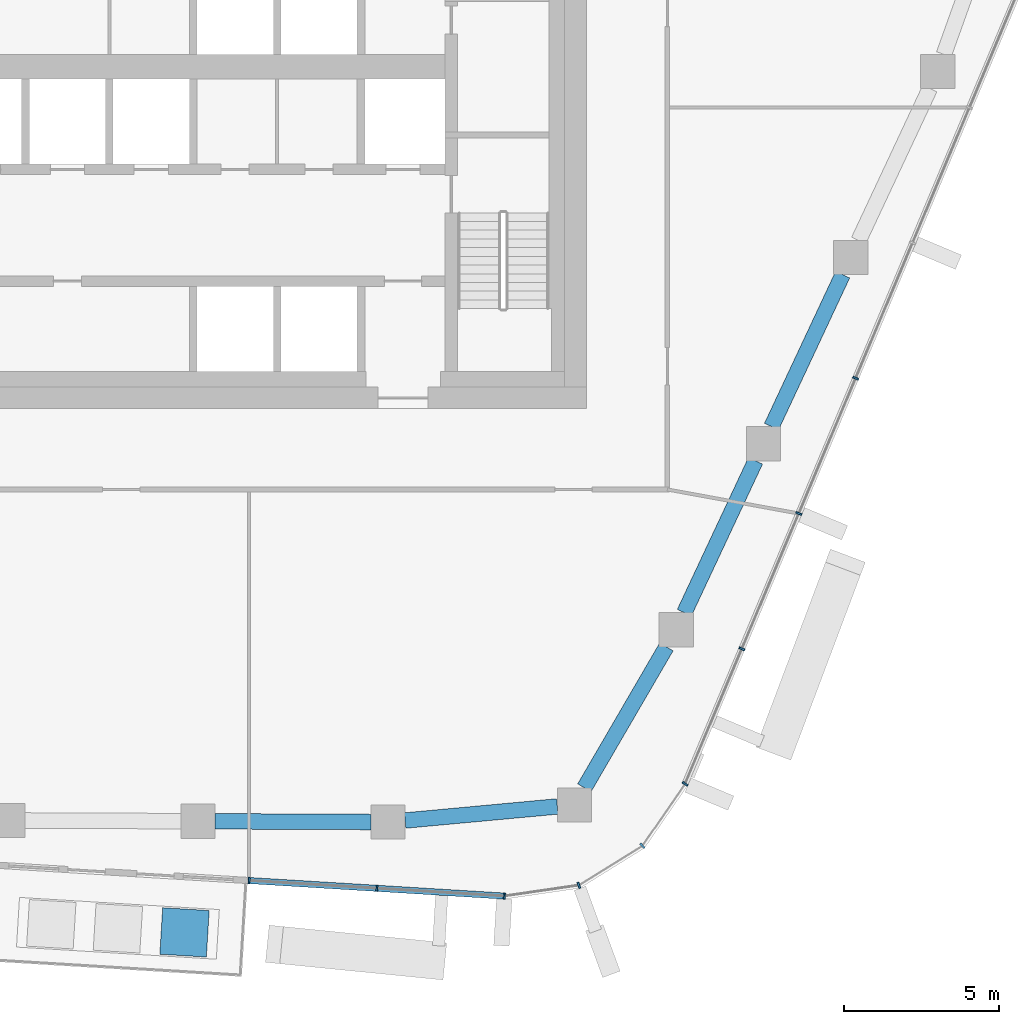
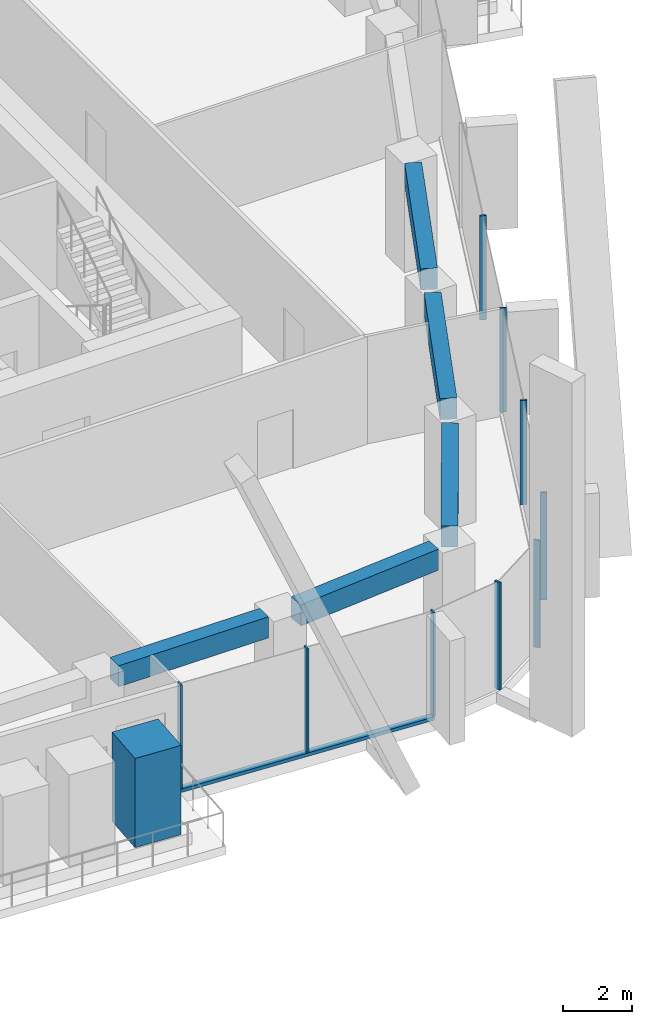
# One storey, part 4 of 20: 11 members, 5 beams, 3 elements without a shape of their own.
"""IFC4 building model written with IfcOpenShell, lengths in metres."""

from ifc_helpers import new_model, si_unit, direction, frame, origin, origin_2d, place, context, subcontext, project, spatial, rectangle, extrude, material, layer, layer_set, material_profile, profile_set, type_object, element, aggregate, save


model = new_model("IFC4")

# Units and contexts
model_context = context("Model", 3, precision=1e-05, world=origin(), true_north=direction((0.0, 1.0)))
body_context = subcontext(model_context, "Body", "Model", "MODEL_VIEW")
ifc_project = project(units=[si_unit("LENGTHUNIT", "METRE"), si_unit("AREAUNIT", "SQUARE_METRE"), si_unit("VOLUMEUNIT", "CUBIC_METRE"), si_unit("PLANEANGLEUNIT", "RADIAN"), si_unit("MASSUNIT", "GRAM", prefix="KILO")], contexts=[model_context])

# Site, building, storey
site_placement = place(None, origin())
site = spatial("IfcSite", under=ifc_project, at=site_placement, CompositionType="ELEMENT")
building_placement = place(site_placement, origin())
building = spatial("IfcBuilding", under=site, at=building_placement, Name="Dongbaek Canopy Tower", CompositionType="ELEMENT")
storey_placement = place(building_placement, frame((0.0, 0.0, 253.800048828125)))
storey = spatial("IfcBuildingStorey", under=building, at=storey_placement, Name="L53", CompositionType="ELEMENT", Elevation=253.800048828125)

# Curtain wall, members
ifc_material_1 = material(Name="Aluminium 6063-T6 pale anodised", Category="aluminium")
ifc_layer = layer(ifc_material_1, 0.199951171875)
ifc_layer_set = layer_set([ifc_layer], Name="CW-1 unitised tower curtain wall")
curtain_wall_type = type_object("IfcCurtainWallType", Name="CW-1 unitised tower curtain wall", PredefinedType="NOTDEFINED", material=ifc_layer_set)
curtain_wall_1_placement = place(storey_placement, origin())
curtain_wall_1 = element("IfcCurtainWall", 1, at=curtain_wall_1_placement, inside=storey, type_object=curtain_wall_type, Name="CW-1 curtain wall F4.1", PredefinedType="NOTDEFINED")
ifc_material_2 = material(Name="Aluminium 6063-T6 pale anodised", Category="aluminium")
ifc_material_profile_1 = material_profile(ifc_material_2, rectangle(XDim=0.199951171875, YDim=0.06005859375, at=origin_2d()), Name="CW-1 mullion 60 x 200")
ifc_profile_set_1 = profile_set([ifc_material_profile_1], Name="Aluminium 6063-T6 pale anodised")
member_type_1 = type_object("IfcMemberType", Name="CW-1 mullion 60 x 200", PredefinedType="MULLION", material=ifc_profile_set_1)
member_1_placement = place(storey_placement, frame((3.147216796875, -26.1806640625, 0.119873046875), z_axis=(0.0, 0.0, 1.0), x_axis=(-0.060746171441, -0.998153246078, 0.0)))
member_1 = element("IfcMember", 2, at=member_1_placement, type_object=member_type_1, Name="CW-1 mullion F4.1.1", PredefinedType="MULLION", context=body_context, shape_type="SweptSolid", body=[
    extrude(rectangle(XDim=0.199951171875, YDim=0.06005859375, at=origin_2d()), origin(), (0.0, 0.0, 1.0), 3.7001953125),
])
member_2_placement = place(storey_placement, frame((7.25927734375, -26.430908203125, 0.119873046875), z_axis=(0.0, 0.0, 1.0), x_axis=(-0.060746171441, -0.998153246078, 0.0)))
member_2 = element("IfcMember", 3, at=member_2_placement, type_object=member_type_1, Name="CW-1 mullion F4.1.2", PredefinedType="MULLION", context=body_context, shape_type="SweptSolid", body=[
    extrude(rectangle(XDim=0.199951171875, YDim=0.06005859375, at=origin_2d()), origin(), (0.0, 0.0, 1.0), 3.7001953125),
])
member_3_placement = place(storey_placement, frame((11.361083984375, -26.6806640625, 0.119873046875), z_axis=(0.0, 0.0, 1.0), x_axis=(-0.060746171441, -0.998153246078, 0.0)))
member_3 = element("IfcMember", 4, at=member_3_placement, type_object=member_type_1, Name="CW-1 mullion F4.1.3", PredefinedType="MULLION", context=body_context, shape_type="SweptSolid", body=[
    extrude(rectangle(XDim=0.199951171875, YDim=0.06005859375, at=origin_2d()), origin(), (0.0, 0.0, 1.0), 3.7001953125),
])

curtain_wall_2_placement = place(storey_placement, origin())
curtain_wall_2 = element("IfcCurtainWall", 5, at=curtain_wall_2_placement, inside=storey, type_object=curtain_wall_type, Name="CW-1 curtain wall K5.1", PredefinedType="NOTDEFINED")
member_4_placement = place(storey_placement, frame((13.754150390625, -26.331787109375, 0.0), z_axis=(0.0, 0.0, 1.0), x_axis=(0.343241866052, -0.939247050242, 0.0)))
member_4 = element("IfcMember", 6, at=member_4_placement, type_object=member_type_1, Name="CW-1 mullion K5.1.2", PredefinedType="MULLION", context=body_context, shape_type="SweptSolid", body=[
    extrude(rectangle(XDim=0.199951171875, YDim=0.06005859375, at=origin_2d()), origin(), (0.0, 0.0, 1.0), 3.820068359375),
])
member_5_placement = place(storey_placement, frame((15.79931640625, -25.06103515625, 0.0), z_axis=(0.0, 0.0, 1.0), x_axis=(0.690019628112, -0.723790655383, 0.0)))
member_5 = element("IfcMember", 7, at=member_5_placement, type_object=member_type_1, Name="CW-1 mullion K5.1.3", PredefinedType="MULLION", context=body_context, shape_type="SweptSolid", body=[
    extrude(rectangle(XDim=0.199951171875, YDim=0.06005859375, at=origin_2d()), origin(), (0.0, 0.0, 1.0), 3.820068359375),
])
member_6_placement = place(storey_placement, frame((17.17236328125, -23.070068359375, 0.0), z_axis=(0.0, 0.0, 1.0), x_axis=(0.823237832697, -0.567696636257, 0.0)))
member_6 = element("IfcMember", 8, at=member_6_placement, type_object=member_type_1, Name="CW-1 mullion K5.1.4", PredefinedType="MULLION", context=body_context, shape_type="SweptSolid", body=[
    extrude(rectangle(XDim=0.199951171875, YDim=0.06005859375, at=origin_2d()), origin(), (0.0, 0.0, 1.0), 3.820068359375),
])
aggregate(curtain_wall_2, [member_4, member_5, member_6])

curtain_wall_3_placement = place(storey_placement, origin())
curtain_wall_3 = element("IfcCurtainWall", 9, at=curtain_wall_3_placement, inside=storey, type_object=curtain_wall_type, Name="CW-1 curtain wall F5.1", PredefinedType="NOTDEFINED")
member_7_placement = place(storey_placement, frame((18.9990234375, -18.7265625, 0.119873046875), z_axis=(0.0, 0.0, 1.0), x_axis=(0.92178748934, -0.387695530662, 0.0)))
member_7 = element("IfcMember", 10, at=member_7_placement, type_object=member_type_1, Name="CW-1 mullion F5.1.2", PredefinedType="MULLION", context=body_context, shape_type="SweptSolid", body=[
    extrude(rectangle(XDim=0.199951171875, YDim=0.06005859375, at=origin_2d()), origin(), (0.0, 0.0, 1.0), 3.7001953125),
])
member_8_placement = place(storey_placement, frame((20.829833984375, -14.37353515625, 0.119873046875), z_axis=(0.0, 0.0, 1.0), x_axis=(0.92178748934, -0.387695530662, 0.0)))
member_8 = element("IfcMember", 11, at=member_8_placement, type_object=member_type_1, Name="CW-1 mullion F5.1.3", PredefinedType="MULLION", context=body_context, shape_type="SweptSolid", body=[
    extrude(rectangle(XDim=0.199951171875, YDim=0.06005859375, at=origin_2d()), origin(), (0.0, 0.0, 1.0), 3.7001953125),
])
member_9_placement = place(storey_placement, frame((22.660888671875, -10.0205078125, 0.119873046875), z_axis=(0.0, 0.0, 1.0), x_axis=(0.92178748934, -0.387695530662, 0.0)))
member_9 = element("IfcMember", 12, at=member_9_placement, type_object=member_type_1, Name="CW-1 mullion F5.1.4", PredefinedType="MULLION", context=body_context, shape_type="SweptSolid", body=[
    extrude(rectangle(XDim=0.199951171875, YDim=0.06005859375, at=origin_2d()), origin(), (0.0, 0.0, 1.0), 3.7001953125),
])
aggregate(curtain_wall_3, [member_7, member_8, member_9])

# Member
ifc_material_3 = material(Name="Aluminium 6063-T6 pale anodised", Category="aluminium")
ifc_material_profile_2 = material_profile(ifc_material_3, rectangle(XDim=0.199951171875, YDim=0.1201171875, at=origin_2d()), Name="CW-1 transom 120 x 200")
ifc_profile_set_2 = profile_set([ifc_material_profile_2], Name="Aluminium 6063-T6 pale anodised")
member_type_2 = type_object("IfcMemberType", Name="CW-1 transom 120 x 200", PredefinedType="USERDEFINED", material=ifc_profile_set_2)
member_10_placement = place(storey_placement, frame((3.147216796875, -26.1806640625, 0.06005859375), z_axis=(0.998152392346, -0.060760197941, 0.0), x_axis=(0.060760197941, 0.998152392346, 0.0)))
member_10 = element("IfcMember", 13, at=member_10_placement, type_object=member_type_2, Name="CW-1 transom F4.1.1", ObjectType="TRANSOM", PredefinedType="USERDEFINED", context=body_context, shape_type="SweptSolid", body=[
    extrude(rectangle(XDim=0.199951171875, YDim=0.1201171875, at=origin_2d()), origin(), (0.0, 0.0, 1.0), 8.22900390625),
])

aggregate(curtain_wall_1, [member_1, member_2, member_3, member_10])

# Beams
ifc_material_4 = material(Name="Concrete C70", Category="concrete")
ifc_material_profile_3 = material_profile(ifc_material_4, rectangle(XDim=0.5, YDim=0.75, at=origin_2d()), Name="RC EDGE BEAM 500x750 C70")
ifc_profile_set_3 = profile_set([ifc_material_profile_3], Name="Concrete C70")
beam_type = type_object("IfcBeamType", Name="RC EDGE BEAM 500x750 C70", PredefinedType="BEAM", material=ifc_profile_set_3)
beam_1_placement = place(storey_placement, frame((13.06201171875, -23.796875, 3.445068359375), z_axis=(-0.995758214652, -0.092008575434, 0.0), x_axis=(0.092008575434, -0.995758214652, 0.0)))
element("IfcBeam", 14, at=beam_1_placement, inside=storey, type_object=beam_type, Name="EDGEBEAM:L53:00", PredefinedType="BEAM", context=body_context, shape_type="SweptSolid", body=[
    extrude(rectangle(XDim=0.5, YDim=0.75, at=origin_2d()), origin(), (0.0, 0.0, 1.0), 4.916748046875),
])
beam_2_placement = place(storey_placement, frame((7.06591796875, -24.297607421875, 3.445068359375), z_axis=(-0.999989301171, 0.004625747851, 0.0), x_axis=(-0.004625747851, -0.999989301171, 0.0)))
element("IfcBeam", 15, at=beam_2_placement, inside=storey, type_object=beam_type, Name="EDGEBEAM:L53:01", PredefinedType="BEAM", context=body_context, shape_type="SweptSolid", body=[
    extrude(rectangle(XDim=0.5, YDim=0.75, at=origin_2d()), origin(), (0.0, 0.0, 1.0), 5.013916015625),
])
beam_3_placement = place(storey_placement, frame((22.241455078125, -6.68896484375, 3.445068359375), z_axis=(-0.424105880993, -0.905612611279, 0.0), x_axis=(0.905612611279, -0.424105880993, 0.0)))
element("IfcBeam", 16, at=beam_3_placement, inside=storey, type_object=beam_type, Name="EDGEBEAM:L53:23", PredefinedType="BEAM", context=body_context, shape_type="SweptSolid", body=[
    extrude(rectangle(XDim=0.5, YDim=0.75, at=origin_2d()), origin(), (0.0, 0.0, 1.0), 5.3974609375),
])
beam_4_placement = place(storey_placement, frame((19.437255859375, -12.677001953125, 3.445068359375), z_axis=(-0.424249579949, -0.905545301966, 0.0), x_axis=(0.905545301966, -0.424249579949, 0.0)))
element("IfcBeam", 17, at=beam_4_placement, inside=storey, type_object=beam_type, Name="EDGEBEAM:L53:24", PredefinedType="BEAM", context=body_context, shape_type="SweptSolid", body=[
    extrude(rectangle(XDim=0.5, YDim=0.75, at=origin_2d()), origin(), (0.0, 0.0, 1.0), 5.396728515625),
])
beam_5_placement = place(storey_placement, frame((16.56982421875, -18.6640625, 3.445068359375), z_axis=(-0.503022590015, -0.864273263462, 0.0), x_axis=(0.864273263462, -0.503022590015, 0.0)))
element("IfcBeam", 18, at=beam_5_placement, inside=storey, type_object=beam_type, Name="EDGEBEAM:L53:25", PredefinedType="BEAM", context=body_context, shape_type="SweptSolid", body=[
    extrude(rectangle(XDim=0.5, YDim=0.75, at=origin_2d()), origin(), (0.0, 0.0, 1.0), 5.24365234375),
])

# Member
ifc_material_5 = material(Name="Concrete C40/50 planter mass with planting", Category="concrete")
ifc_material_profile_4 = material_profile(ifc_material_5, rectangle(XDim=1.5, YDim=1.5, at=origin_2d()), Name="Terrace PLANTER shrub mass 1500 x 1500")
ifc_profile_set_4 = profile_set([ifc_material_profile_4], Name="Concrete C40/50 planter mass with planting")
member_type_3 = type_object("IfcMemberType", Name="Terrace PLANTER shrub mass 1500 x 1500", PredefinedType="USERDEFINED", material=ifc_profile_set_4)
member_11_placement = place(storey_placement, frame((1.06884765625, -27.84765625, 0.419921875), z_axis=(0.0, 0.0, 1.0), x_axis=(-0.060746171441, -0.998153246078, 0.0)))
element("IfcMember", 19, at=member_11_placement, inside=storey, type_object=member_type_3, Name="Planter shrubs L53 4.3", ObjectType="PLANTER", PredefinedType="USERDEFINED", context=body_context, shape_type="SweptSolid", body=[
    extrude(rectangle(XDim=1.5, YDim=1.5, at=origin_2d()), origin(), (0.0, 0.0, 1.0), 3.169921875),
])

save(model, "model.ifc")
